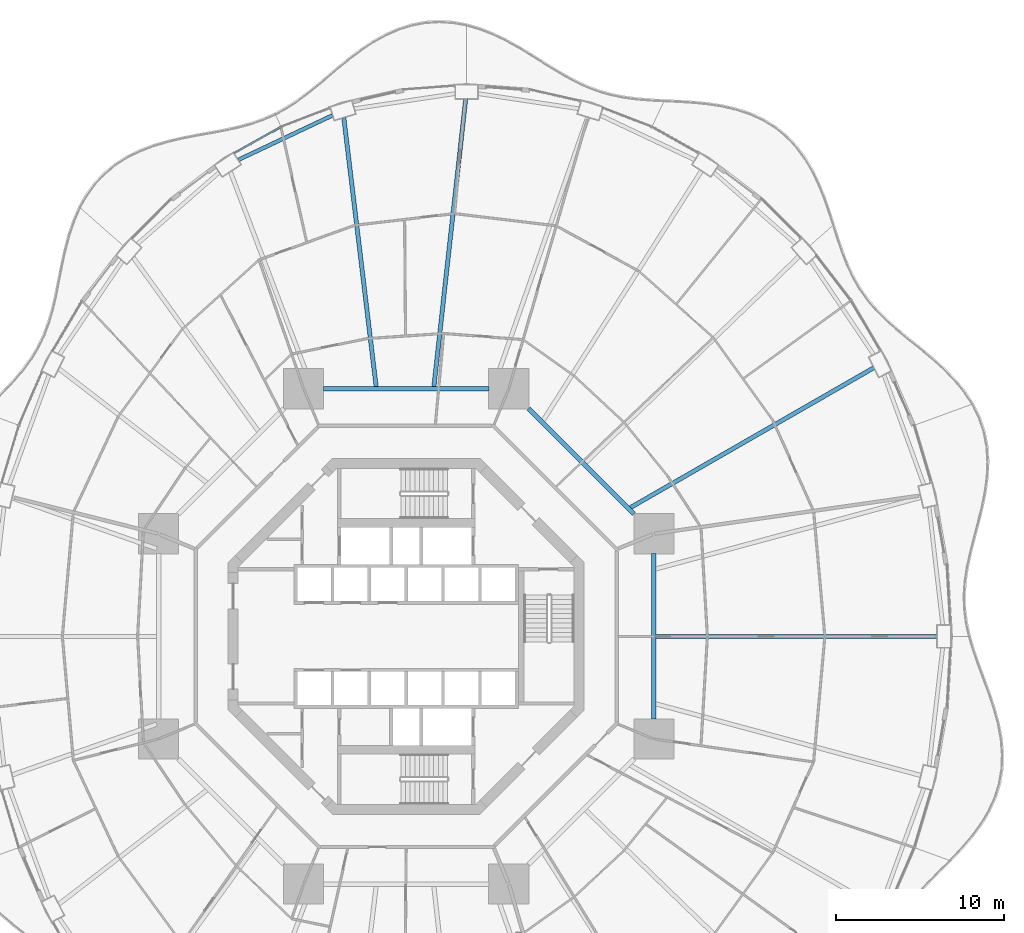
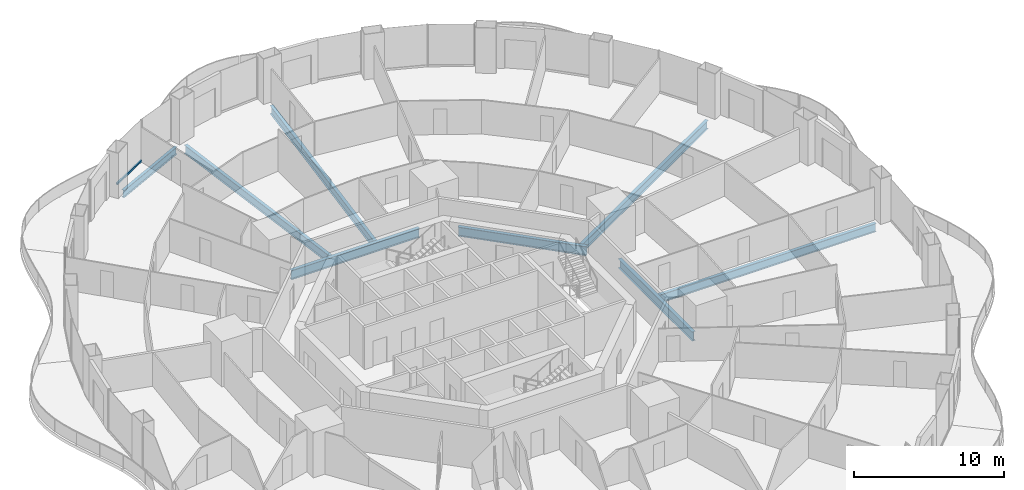
# One storey, part 8 of 22: 8 beams, 1 member, 1 element without a shape of its own.
"""IFC4 building model written with IfcOpenShell, lengths in metres."""

from ifc_helpers import new_model, si_unit, direction, frame, origin, origin_2d, place, context, subcontext, project, spatial, rectangle, i_section, extrude, material, layer, layer_set, material_profile, profile_set, type_object, element, aggregate, save


model = new_model("IFC4")

# Units and contexts
model_context = context("Model", 3, precision=1e-05, world=origin(), true_north=direction((0.0, 1.0)))
body_context = subcontext(model_context, "Body", "Model", "MODEL_VIEW")
ifc_project = project(units=[si_unit("LENGTHUNIT", "METRE"), si_unit("AREAUNIT", "SQUARE_METRE"), si_unit("VOLUMEUNIT", "CUBIC_METRE"), si_unit("PLANEANGLEUNIT", "RADIAN"), si_unit("MASSUNIT", "GRAM", prefix="KILO")], contexts=[model_context])

# Site, building, storey
site_placement = place(None, origin())
site = spatial("IfcSite", under=ifc_project, at=site_placement, CompositionType="ELEMENT")
building_placement = place(site_placement, origin())
building = spatial("IfcBuilding", under=site, at=building_placement, Name="Nagisa Residences", CompositionType="ELEMENT")
storey_placement = place(building_placement, frame((0.0, 0.0, 41.800048828125)))
storey = spatial("IfcBuildingStorey", under=building, at=storey_placement, Name="L09", CompositionType="ELEMENT", Elevation=41.800048828125)

# Curtain wall, member
ifc_material_1 = material(Name="Concrete-coloured aluminium curtain wall system", Category="concrete")
ifc_layer = layer(ifc_material_1, 0.159912109375)
ifc_layer_set = layer_set([ifc_layer], Name="CW1 CURTAIN WALL")
curtain_wall_type = type_object("IfcCurtainWallType", Name="CW1 CURTAIN WALL", PredefinedType="NOTDEFINED", material=ifc_layer_set)
curtain_wall_placement = place(storey_placement, origin())
curtain_wall = element("IfcCurtainWall", 1, at=curtain_wall_placement, inside=storey, type_object=curtain_wall_type, Name="cw:CW1:L09:15", PredefinedType="NOTDEFINED")
ifc_material_2 = material(Name="Concrete-coloured aluminium", Category="concrete")
ifc_material_profile_1 = material_profile(ifc_material_2, rectangle(XDim=0.1201171875, YDim=0.14990234375, at=origin_2d()), Name="CW1 TRANSOM 120x150")
ifc_profile_set_1 = profile_set([ifc_material_profile_1], Name="Concrete-coloured aluminium")
member_type = type_object("IfcMemberType", Name="CW1 TRANSOM 120x150", PredefinedType="USERDEFINED", material=ifc_profile_set_1)
member_placement = place(storey_placement, frame((-7.458740234375, 30.418212890625, 0.074951171875), z_axis=(-0.872070011948, -0.489381133946, 0.0), x_axis=(0.489381133946, -0.872070011948, 0.0)))
member = element("IfcMember", 2, at=member_placement, type_object=member_type, Name="CW1 transom", ObjectType="TRANSOM", PredefinedType="USERDEFINED", context=body_context, shape_type="SweptSolid", body=[
    extrude(rectangle(XDim=0.1201171875, YDim=0.14990234375, at=origin_2d()), origin(), (0.0, 0.0, 1.0), 3.201171875),
])
aggregate(curtain_wall, [member])

# Beams
ifc_material_3 = material(Name="Steel ASTM A572 Gr 50", Category="steel")
ifc_material_profile_2 = material_profile(ifc_material_3, i_section(OverallWidth=0.264892578125, OverallDepth=0.7529296875, WebThickness=0.01318359375, FlangeThickness=0.01708984375, at=origin_2d()), Name="W760x147")
ifc_profile_set_2 = profile_set([ifc_material_profile_2], Name="Steel ASTM A572 Gr 50")
beam_type_1 = type_object("IfcBeamType", Name="Inner ring beam W760x147", PredefinedType="BEAM", material=ifc_profile_set_2)
beam_1_placement = place(storey_placement, frame((13.59619140625, 7.308837890625, -0.636474609375), z_axis=(-0.707106781187, 0.707106781187, 0.0), x_axis=(-0.707106781187, -0.707106781187, 0.0)))
element("IfcBeam", 3, at=beam_1_placement, inside=storey, type_object=beam_type_1, Name="beam:L09:ib1", PredefinedType="BEAM", context=body_context, shape_type="SweptSolid", body=[
    extrude(i_section(OverallWidth=0.264892578125, OverallDepth=0.7529296875, WebThickness=0.01318359375, FlangeThickness=0.01708984375, at=origin_2d()), origin(), (0.0, 0.0, 1.0), 8.8916015625),
])
for number, where, z_axis, x_axis, name in (
    (4, (4.94287109375, 14.781982421875, -0.636474609375), (-1.0, 0.0, 0.0), (0.0, -1.0, 0.0), "beam:L09:ib2"),
    (5, (14.781982421875, -4.94287109375, -0.636474609375), (0.0, 1.0, 0.0), (-1.0, 0.0, 0.0), "beam:L09:ib8"),
):
    element("IfcBeam", number, at=place(storey_placement, frame(where, z_axis=z_axis, x_axis=x_axis)), inside=storey, type_object=beam_type_1, Name=name, PredefinedType="BEAM", context=body_context, shape_type="SweptSolid", body=[
        extrude(i_section(OverallWidth=0.264892578125, OverallDepth=0.7529296875, WebThickness=0.01318359375, FlangeThickness=0.01708984375, at=origin_2d()), origin(), (0.0, 0.0, 1.0), 9.8857421875),
    ])
ifc_material_4 = material(Name="Steel ASTM A572 Gr 50", Category="steel")
ifc_material_profile_3 = material_profile(ifc_material_4, i_section(OverallWidth=0.22802734375, OverallDepth=0.60302734375, WebThickness=0.010498046875, FlangeThickness=0.014892578125, at=origin_2d()), Name="W610x101")
ifc_profile_set_3 = profile_set([ifc_material_profile_3], Name="Steel ASTM A572 Gr 50")
beam_type_2 = type_object("IfcBeamType", Name="Perimeter ring beam W610x101", PredefinedType="BEAM", material=ifc_profile_set_3)
beam_2_placement = place(storey_placement, frame((-4.39794921875, 31.098876953125, -0.5615234375), z_axis=(-0.904208275867, -0.427091786216, 0.0), x_axis=(0.427091786216, -0.904208275867, 0.0)))
element("IfcBeam", 6, at=beam_2_placement, inside=storey, type_object=beam_type_2, Name="beam:L09:pb08", PredefinedType="BEAM", context=body_context, shape_type="SweptSolid", body=[
    extrude(i_section(OverallWidth=0.22802734375, OverallDepth=0.60302734375, WebThickness=0.010498046875, FlangeThickness=0.014892578125, at=origin_2d()), origin(), (0.0, 0.0, 1.0), 6.227294921875),
])
ifc_material_5 = material(Name="Steel ASTM A572 Gr 50", Category="steel")
ifc_material_profile_4 = material_profile(ifc_material_5, i_section(OverallWidth=0.25390625, OverallDepth=0.68408203125, WebThickness=0.012451171875, FlangeThickness=0.018798828125, at=origin_2d()), Name="W690x140")
ifc_profile_set_4 = profile_set([ifc_material_profile_4], Name="Steel ASTM A572 Gr 50")
beam_type_3 = type_object("IfcBeamType", Name="Radial beam W690x140", PredefinedType="BEAM", material=ifc_profile_set_4)
beam_3_placement = place(storey_placement, frame((31.669921875, 0.0, -0.60205078125), z_axis=(-1.0, 0.0, 0.0), x_axis=(0.0, -1.0, 0.0)))
element("IfcBeam", 7, at=beam_3_placement, inside=storey, type_object=beam_type_3, Name="beam:L09:rb01", PredefinedType="BEAM", context=body_context, shape_type="SweptSolid", body=[
    extrude(i_section(OverallWidth=0.25390625, OverallDepth=0.68408203125, WebThickness=0.012451171875, FlangeThickness=0.018798828125, at=origin_2d()), origin(), (0.0, 0.0, 1.0), 16.775390625),
])
beam_4_placement = place(storey_placement, frame((27.908447265625, 16.035400390625, -0.60205078125), z_axis=(-0.867068052258, -0.498189715623, 0.0), x_axis=(0.498189715623, -0.867068052258, 0.0)))
element("IfcBeam", 8, at=beam_4_placement, inside=storey, type_object=beam_type_3, Name="beam:L09:rb03", PredefinedType="BEAM", context=body_context, shape_type="SweptSolid", body=[
    extrude(i_section(OverallWidth=0.25390625, OverallDepth=0.68408203125, WebThickness=0.012451171875, FlangeThickness=0.018798828125, at=origin_2d()), origin(), (0.0, 0.0, 1.0), 16.758056640625),
])
beam_5_placement = place(storey_placement, frame((3.55224609375, 32.06982421875, -0.60205078125), z_axis=(-0.110088818647, -0.993921753464, 0.0), x_axis=(0.993921753464, -0.110088818647, 0.0)))
element("IfcBeam", 9, at=beam_5_placement, inside=storey, type_object=beam_type_3, Name="beam:L09:rb07", PredefinedType="BEAM", context=body_context, shape_type="SweptSolid", body=[
    extrude(i_section(OverallWidth=0.25390625, OverallDepth=0.68408203125, WebThickness=0.012451171875, FlangeThickness=0.018798828125, at=origin_2d()), origin(), (0.0, 0.0, 1.0), 17.280029296875),
])
beam_6_placement = place(storey_placement, frame((-3.72412109375, 30.958740234375, -0.60205078125), z_axis=(0.119431411612, -0.992842453726, 0.0), x_axis=(0.992842453726, 0.119431411612, 0.0)))
element("IfcBeam", 10, at=beam_6_placement, inside=storey, type_object=beam_type_3, Name="beam:L09:rb08", PredefinedType="BEAM", context=body_context, shape_type="SweptSolid", body=[
    extrude(i_section(OverallWidth=0.25390625, OverallDepth=0.68408203125, WebThickness=0.012451171875, FlangeThickness=0.018798828125, at=origin_2d()), origin(), (0.0, 0.0, 1.0), 16.1796875),
])

save(model, "model.ifc")
